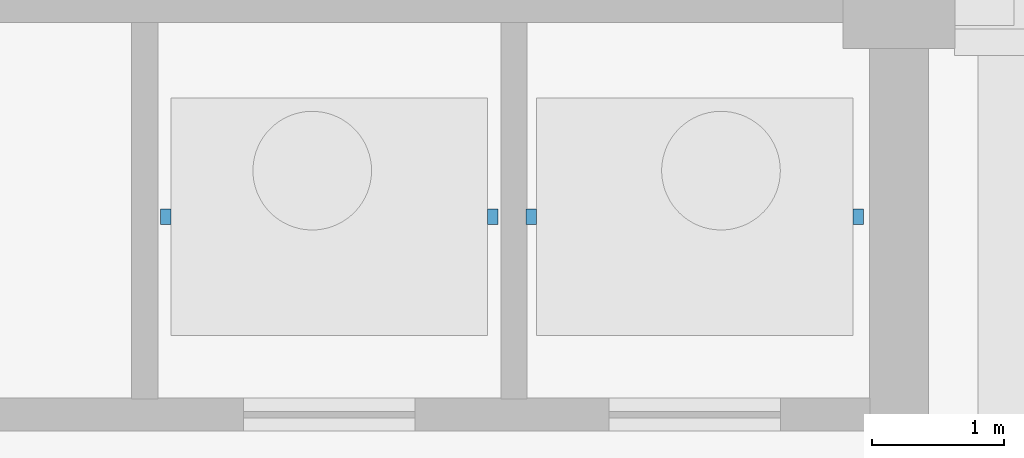
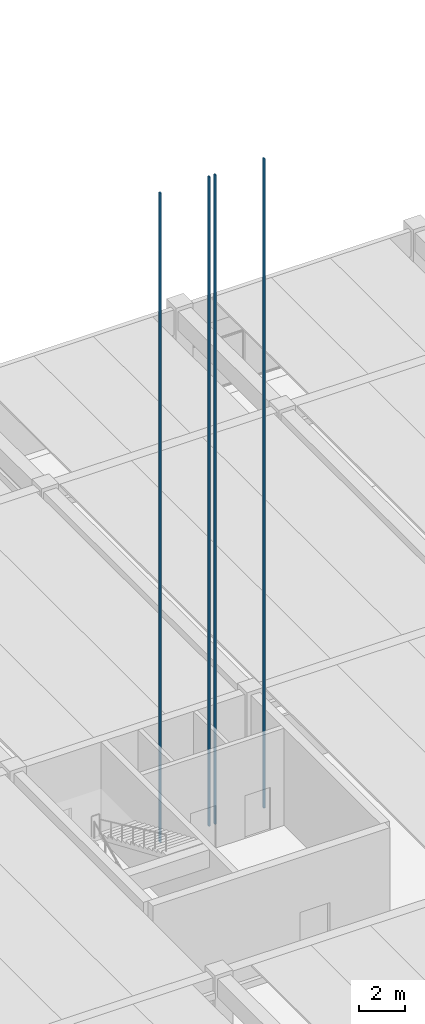
# One storey, part 43 of 59: 4 discrete accessories.
"""IFC4 building model written with IfcOpenShell, lengths in metres."""

import ifcopenshell
import ifcopenshell.guid

model = None  # the IFC model being written
_history = None  # IfcOwnerHistory: only IFC2X3 demands one
_inside = {}  # id of a spatial element -> (the spatial element, [elements in it])
_under = {}  # id of a project, library or spatial element -> (it, [spatial elements below it])
_declared = {}  # id of a project -> (the project, [libraries it declares])
_typed = {}  # id of a type object -> (the type object, [elements of that type])
_made_of = {}  # id of a material, layer set ... -> (it, [elements and type objects made of it])


def new_model(schema):
    """Start an empty IFC model of exactly this schema.

    Asked for "IFC4X3", IfcOpenShell would pick the latest addendum, in which some entities
    have other attributes; the version numbers below select the first issue.
    IFC2X3 requires an IfcOwnerHistory on every rooted entity: one is made here for all.
    """
    global model, _history
    if schema == "IFC4X3":
        model = ifcopenshell.file(schema_version=(4, 3, 0, 0))
    else:
        model = ifcopenshell.file(schema=schema)
    _inside.clear()
    _under.clear()
    _declared.clear()
    _typed.clear()
    _made_of.clear()
    _history = None
    if model.schema == "IFC2X3":
        org = make("IfcOrganization", Name="unknown")
        user = make(
            "IfcPersonAndOrganization",
            ThePerson=make("IfcPerson", FamilyName="unknown"),
            TheOrganization=org,
        )
        app = make(
            "IfcApplication",
            ApplicationDeveloper=org,
            Version="unknown",
            ApplicationFullName="unknown",
            ApplicationIdentifier="unknown",
        )
        _history = make(
            "IfcOwnerHistory",
            OwningUser=user,
            OwningApplication=app,
            ChangeAction="ADDED",
            CreationDate=0,
        )
    return model


def make(cls, **values):
    """One entity of the class cls with the attributes given. An attribute that is None is left unset."""
    return model.create_entity(
        cls, **{name: value for name, value in values.items() if value is not None}
    )


def rooted(cls, **values):
    """An entity with a GlobalId (a new one), such as an element, a storey or a relation."""
    return make(cls, GlobalId=ifcopenshell.guid.new(), OwnerHistory=_history, **values)


def si_unit(unit_type, name, prefix=None):
    """IfcSIUnit, for example si_unit("LENGTHUNIT", "METRE", prefix="MILLI")."""
    return make("IfcSIUnit", UnitType=unit_type, Prefix=prefix, Name=name)


def assignment(units):
    """IfcUnitAssignment: the units of a project."""
    return None if units is None else make("IfcUnitAssignment", Units=units)


def point(xyz):
    """IfcCartesianPoint."""
    return None if xyz is None else make("IfcCartesianPoint", Coordinates=xyz)


def direction(xyz):
    """IfcDirection."""
    return None if xyz is None else make("IfcDirection", DirectionRatios=xyz)


def frame(location, z_axis=None, x_axis=None):
    """IfcAxis2Placement3D, a coordinate frame: its origin and axes. An axis left out is left unset."""
    return make(
        "IfcAxis2Placement3D",
        Location=point(location),
        Axis=direction(z_axis),
        RefDirection=direction(x_axis),
    )


def frame_2d(location, x_axis=None):
    """IfcAxis2Placement2D, a coordinate frame in the plane: its origin and x axis."""
    return make(
        "IfcAxis2Placement2D", Location=point(location), RefDirection=direction(x_axis)
    )


def origin():
    """The frame at (0, 0, 0) with its axes left unset."""
    return frame((0.0, 0.0, 0.0))


def origin_2d():
    """The frame at (0, 0) in the plane with its x axis left unset."""
    return frame_2d((0.0, 0.0))


def place(relative_to, where):
    """IfcLocalPlacement: puts the frame where relative to a parent placement (None: the world)."""
    return make(
        "IfcLocalPlacement", PlacementRelTo=relative_to, RelativePlacement=where
    )


def context(
    kind, dimensions, precision=None, world=None, true_north=None, identifier=None
):
    """IfcGeometricRepresentationContext, for example the 3D "Model" context."""
    return make(
        "IfcGeometricRepresentationContext",
        ContextIdentifier=identifier,
        ContextType=kind,
        CoordinateSpaceDimension=dimensions,
        Precision=precision,
        WorldCoordinateSystem=world,
        TrueNorth=true_north,
    )


def subcontext(parent, identifier, kind, view, scale=None):
    """IfcGeometricRepresentationSubContext, for example "Body" below "Model"."""
    return make(
        "IfcGeometricRepresentationSubContext",
        ContextIdentifier=identifier,
        ContextType=kind,
        ParentContext=parent,
        TargetScale=scale,
        TargetView=view,
    )


def project(units=None, contexts=None):
    """IfcProject with its units and contexts."""
    return rooted(
        "IfcProject",
        Name="project",
        RepresentationContexts=contexts,
        UnitsInContext=assignment(units),
    )


def spatial(cls, under=None, at=None, **own):
    """A site, building, storey or space (cls), placed at a placement, below another one or the project."""
    s = rooted(cls, ObjectPlacement=at, **own)
    if under is not None:
        _under.setdefault(under.id(), (under, []))[1].append(s)
    return s


def profile(cls, at=None, kind="AREA", **sizes):
    """A parametric profile (cls). Its sizes go by their IFC names, for example OverallWidth=200.0."""
    return make(cls, ProfileType=kind, Position=at, **sizes)


def rectangle(**sizes):
    """IfcRectangleProfileDef."""
    return profile("IfcRectangleProfileDef", **sizes)


def extrude(swept, where, along, depth):
    """IfcExtrudedAreaSolid: the profile swept, set in the frame where, extruded along a direction by depth."""
    return make(
        "IfcExtrudedAreaSolid",
        SweptArea=swept,
        Position=where,
        ExtrudedDirection=direction(along),
        Depth=depth,
    )


def shape(context_of_items, identifier, shape_type, items):
    """IfcShapeRepresentation: the items that make up one representation, for example the "Body"."""
    return make(
        "IfcShapeRepresentation",
        ContextOfItems=context_of_items,
        RepresentationIdentifier=identifier,
        RepresentationType=shape_type,
        Items=items,
    )


def material(Name=None, Category=None):
    """IfcMaterial."""
    return make("IfcMaterial", Name=Name, Category=Category)


def made_of(thing, what):
    """Note that an element or type object is made of a material, layer set ...; save() writes the relation."""
    if what is not None:
        _made_of.setdefault(what.id(), (what, []))[1].append(thing)
    return thing


def type_object(cls, material=None, **own):
    """A type object (cls), such as IfcWallType, which elements share."""
    return made_of(rooted(cls, **own), material)


def element(
    cls,
    number,
    at=None,
    inside=None,
    cuts=None,
    type_object=None,
    material=None,
    context=None,
    identifier="Body",
    shape_type=None,
    held_by="IfcProductDefinitionShape",
    body=None,
    shapes=None,
    **own,
):
    """One element of the class cls, such as IfcWall. Its Tag is "e" and its number.

    at: its placement. inside: the storey or other place that contains it. cuts: it is an
    opening in that element (IfcRelVoidsElement). A single representation is given by context,
    identifier, shape_type and body (its items); several are given by shapes. held_by: the class
    of the entity that holds the representations. save() writes the other relations.
    """
    e = rooted(cls, Tag="e%d" % number, ObjectPlacement=at, **own)
    if body is not None:
        shapes = [shape(context, identifier, shape_type, body)]
    if shapes is not None:
        e.Representation = make(held_by, Representations=shapes)
    if inside is not None:
        _inside.setdefault(inside.id(), (inside, []))[1].append(e)
    if cuts is not None:
        rooted(
            "IfcRelVoidsElement", RelatingBuildingElement=cuts, RelatedOpeningElement=e
        )
    if type_object is not None:
        _typed.setdefault(type_object.id(), (type_object, []))[1].append(e)
    return made_of(e, material)


def aggregate(whole, parts):
    """IfcRelAggregates: a whole, such as a stair, and the parts it consists of."""
    return rooted("IfcRelAggregates", RelatingObject=whole, RelatedObjects=parts)


def save(model, path):
    """Write the relations noted so far, then the file.

    IfcRelAggregates (storeys below a building ...), IfcRelContainedInSpatialStructure (elements
    in a storey), IfcRelDefinesByType, IfcRelAssociatesMaterial and IfcRelDeclares: one each for
    every whole, place, type object, material and project.
    """
    for whole, parts in _under.values():
        aggregate(whole, parts)
    for where, things in _inside.values():
        rooted(
            "IfcRelContainedInSpatialStructure",
            RelatedElements=things,
            RelatingStructure=where,
        )
    for kind, things in _typed.values():
        rooted("IfcRelDefinesByType", RelatedObjects=things, RelatingType=kind)
    for what, things in _made_of.values():
        rooted("IfcRelAssociatesMaterial", RelatedObjects=things, RelatingMaterial=what)
    for by, libraries in _declared.values():
        rooted("IfcRelDeclares", RelatingContext=by, RelatedDefinitions=libraries)
    model.write(path)


model = new_model("IFC4")

# Units and contexts
model_context = context("Model", 3, precision=1e-05, world=origin(), true_north=direction((0.0, 1.0)))
body_context = subcontext(model_context, "Body", "Model", "MODEL_VIEW")
ifc_project = project(units=[si_unit("LENGTHUNIT", "METRE"), si_unit("AREAUNIT", "SQUARE_METRE"), si_unit("VOLUMEUNIT", "CUBIC_METRE"), si_unit("PLANEANGLEUNIT", "RADIAN"), si_unit("MASSUNIT", "GRAM", prefix="KILO")], contexts=[model_context])

# Site, building, storey
site_placement = place(None, origin())
site = spatial("IfcSite", under=ifc_project, at=site_placement, CompositionType="ELEMENT")
building_placement = place(site_placement, origin())
building = spatial("IfcBuilding", under=site, at=building_placement, Name="Girod Span Mobility Hub", CompositionType="ELEMENT")
storey_placement = place(building_placement, origin())
storey = spatial("IfcBuildingStorey", under=building, at=storey_placement, Name="L00", CompositionType="ELEMENT", Elevation=0.0)

# Discrete accessories
ifc_material = material(Name="Steel A992 Grade 50", Category="steel")
discrete_accessory_type = type_object("IfcDiscreteAccessoryType", Name="ACC-LFT-RAIL", PredefinedType="USERDEFINED", material=ifc_material)
for number, where, z_axis, x_axis, name in (
    (1, (78.43994140625, 85.300048828125, 0.0), (0.0, 0.0, 1.0), (1.0, 0.0, 0.0), "Hoistway Guide Rail LB-1-W"),
    (2, (80.919921875, 85.300048828125, 0.0), (0.0, 0.0, 1.0), (1.0, 0.0, 0.0), "Hoistway Guide Rail LB-1-E"),
    (3, (81.2099609375, 85.300048828125, 0.0), (0.0, 0.0, 1.0), (1.0, 0.0, 0.0), "Hoistway Guide Rail LB-2-W"),
    (4, (83.68994140625, 85.300048828125, 0.0), (0.0, 0.0, 1.0), (1.0, 0.0, 0.0), "Hoistway Guide Rail LB-2-E"),
):
    element("IfcDiscreteAccessory", number, at=place(storey_placement, frame(where, z_axis=z_axis, x_axis=x_axis)), inside=storey, type_object=discrete_accessory_type, Name=name, ObjectType="GUIDE RAIL", PredefinedType="USERDEFINED", context=body_context, shape_type="SweptSolid", body=[
        extrude(rectangle(XDim=0.080078125, YDim=0.1201171875, at=origin_2d()), origin(), (0.0, 0.0, 1.0), 34.75),
    ])

save(model, "model.ifc")
